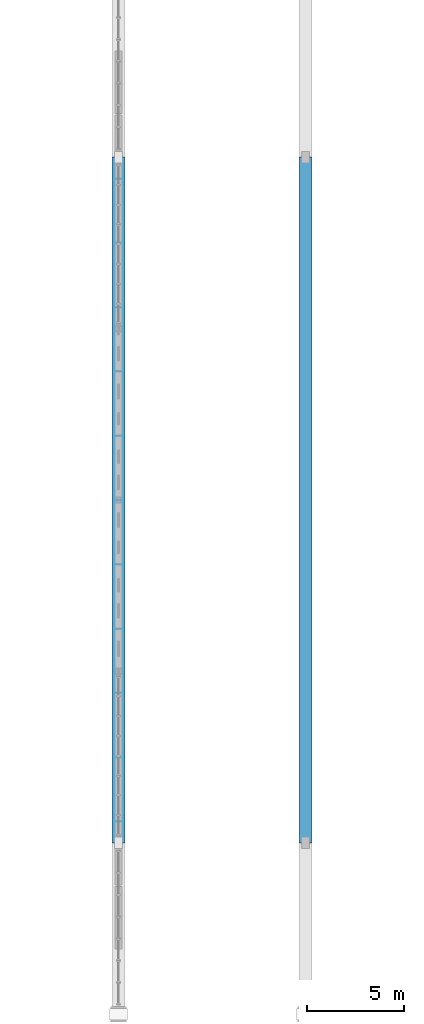
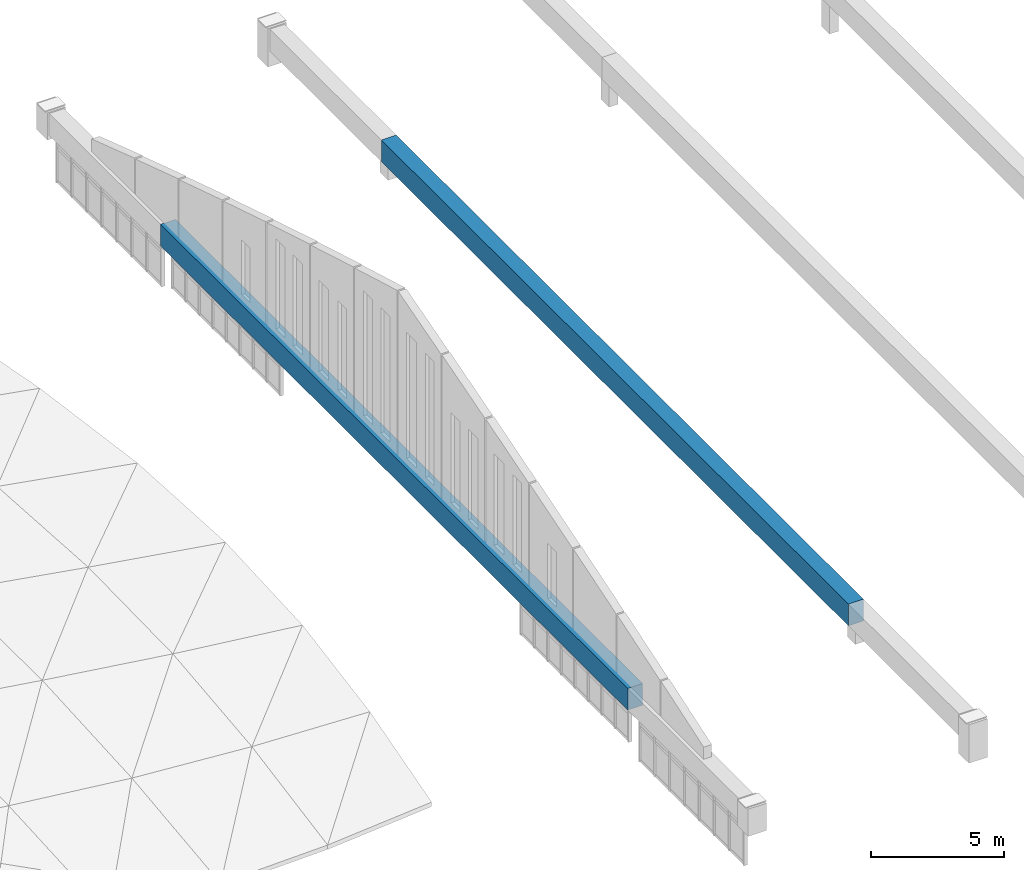
# One storey, part 12 of 65: 2 beams.
"""IFC4 building model written with IfcOpenShell, lengths in metres."""

from ifc_helpers import new_model, si_unit, direction, frame, origin, origin_2d, place, context, subcontext, project, spatial, rectangle, extrude, material, material_profile, profile_set, type_object, element, save


model = new_model("IFC4")

# Units and contexts
model_context = context("Model", 3, precision=1e-05, world=origin(), true_north=direction((0.0, 1.0)))
body_context = subcontext(model_context, "Body", "Model", "MODEL_VIEW")
ifc_project = project(units=[si_unit("LENGTHUNIT", "METRE"), si_unit("AREAUNIT", "SQUARE_METRE"), si_unit("VOLUMEUNIT", "CUBIC_METRE"), si_unit("PLANEANGLEUNIT", "RADIAN"), si_unit("MASSUNIT", "GRAM", prefix="KILO")], contexts=[model_context])

# Site, building, storey
site_placement = place(None, origin())
site = spatial("IfcSite", under=ifc_project, at=site_placement, CompositionType="ELEMENT")
building_placement = place(site_placement, origin())
building = spatial("IfcBuilding", under=site, at=building_placement, Name="Chalmorin Arch Market", CompositionType="ELEMENT")
storey_placement = place(building_placement, frame((0.0, 0.0, 14.10009765625)))
storey = spatial("IfcBuildingStorey", under=building, at=storey_placement, Name="L03", CompositionType="ELEMENT", Elevation=14.10009765625)

# Beams
ifc_material = material(Name="Concrete C50/60", Category="concrete")
ifc_material_profile = material_profile(ifc_material, rectangle(XDim=0.64990234375, YDim=1.0, at=origin_2d()), Name="RC650X1000")
ifc_profile_set = profile_set([ifc_material_profile], Name="Concrete C50/60")
beam_type = type_object("IfcBeamType", Name="ArchTieGirder-650x1000", PredefinedType="BEAM", material=ifc_profile_set)
for number, where, z_axis, x_axis, name in (
    (1, (48.0, 14.800048828125, 0.699951171875), (0.0, 1.0, 0.0), (-1.0, 0.0, 0.0), "ATG-01-1602"),
    (2, (57.60009765625, 14.800048828125, 1.216552734375), (0.0, 1.0, 0.0), (-1.0, 0.0, 0.0), "ATG-01-1621"),
):
    element("IfcBeam", number, at=place(storey_placement, frame(where, z_axis=z_axis, x_axis=x_axis)), inside=storey, type_object=beam_type, Name=name, PredefinedType="BEAM", context=body_context, shape_type="SweptSolid", body=[
        extrude(rectangle(XDim=0.64990234375, YDim=1.0, at=origin_2d()), origin(), (0.0, 0.0, 1.0), 35.199951171875),
    ])

save(model, "model.ifc")
